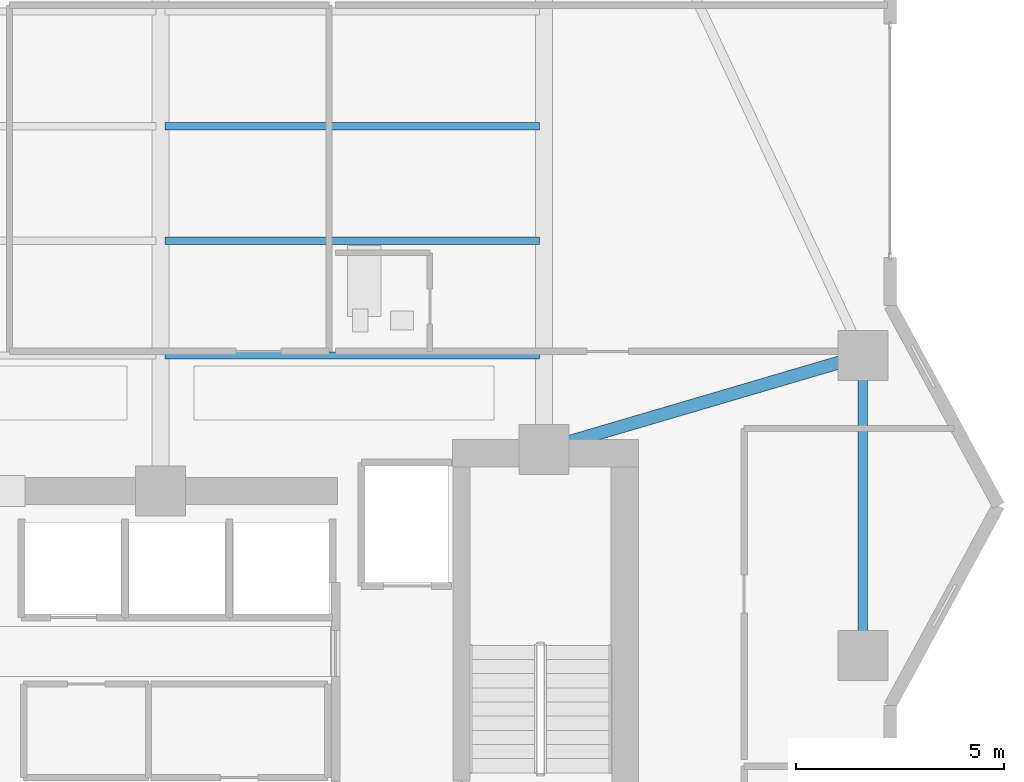
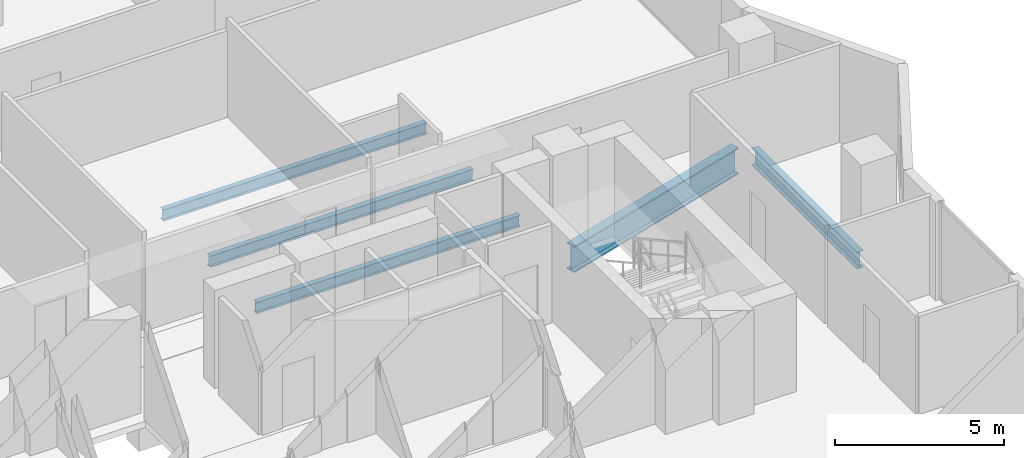
# One storey, part 14 of 33: 5 beams.
"""IFC4 building model written with IfcOpenShell, lengths in metres."""

from ifc_helpers import new_model, si_unit, direction, frame, origin, origin_2d, place, context, subcontext, project, spatial, i_section, extrude, material, material_profile, profile_set, type_object, element, save


model = new_model("IFC4")

# Units and contexts
model_context = context("Model", 3, precision=1e-05, world=origin(), true_north=direction((0.0, 1.0)))
body_context = subcontext(model_context, "Body", "Model", "MODEL_VIEW")
ifc_project = project(units=[si_unit("LENGTHUNIT", "METRE"), si_unit("AREAUNIT", "SQUARE_METRE"), si_unit("VOLUMEUNIT", "CUBIC_METRE"), si_unit("PLANEANGLEUNIT", "RADIAN"), si_unit("MASSUNIT", "GRAM", prefix="KILO")], contexts=[model_context])

# Site, building, storey
site_placement = place(None, origin())
site = spatial("IfcSite", under=ifc_project, at=site_placement, CompositionType="ELEMENT")
building_placement = place(site_placement, origin())
building = spatial("IfcBuilding", under=site, at=building_placement, Name="Zuhayl Quay Hotel", CompositionType="ELEMENT")
storey_placement = place(building_placement, frame((0.0, 0.0, 214.89990234375)))
storey = spatial("IfcBuildingStorey", under=building, at=storey_placement, Name="L54", CompositionType="ELEMENT", Elevation=214.89990234375)

# Beams
ifc_material = material(Name="Steel ASTM A992 Grade 50", Category="steel")
ifc_material_profile_1 = material_profile(ifc_material, i_section(OverallWidth=0.22802734375, OverallDepth=0.60693359375, WebThickness=0.01123046875, FlangeThickness=0.017333984375, at=origin_2d()), Name="W24X76")
ifc_profile_set_1 = profile_set([ifc_material_profile_1], Name="Steel ASTM A992 Grade 50")
beam_type_1 = type_object("IfcBeamType", Name="BM_B3_W24X76", PredefinedType="BEAM", material=ifc_profile_set_1)
beam_1_placement = place(storey_placement, frame((21.449951171875, 9.89990234375, -0.5234375), z_axis=(0.0, 1.0, 0.0), x_axis=(-1.0, 0.0, 0.0)))
element("IfcBeam", 1, at=beam_1_placement, inside=storey, type_object=beam_type_1, Name="L54 Floor Beam RG_L54_05", PredefinedType="BEAM", context=body_context, shape_type="SweptSolid", body=[
    extrude(i_section(OverallWidth=0.22802734375, OverallDepth=0.60693359375, WebThickness=0.01123046875, FlangeThickness=0.017333984375, at=origin_2d()), origin(), (0.0, 0.0, 1.0), 6.2001953125),
])
ifc_material_profile_2 = material_profile(ifc_material, i_section(OverallWidth=0.177978515625, OverallDepth=0.406005859375, WebThickness=0.0078125, FlangeThickness=0.0126953125, at=origin_2d()), Name="W16X40")
ifc_profile_set_2 = profile_set([ifc_material_profile_2], Name="Steel ASTM A992 Grade 50")
beam_type_2 = type_object("IfcBeamType", Name="BM_J2B_W16X40", PredefinedType="JOIST", material=ifc_profile_set_2)
for number, where, z_axis, x_axis, name in (
    (2, (4.7060546875, 16.60009765625, -0.4228515625), (1.0, 0.0, 0.0), (0.0, 1.0, 0.0), "L54 Floor Beam FJ_L54_1_3"),
    (3, (4.7060546875, 19.35009765625, -0.4228515625), (1.0, 0.0, 0.0), (0.0, 1.0, 0.0), "L54 Floor Beam FJ_L54_2_3"),
    (4, (4.7060546875, 22.10009765625, -0.4228515625), (1.0, 0.0, 0.0), (0.0, 1.0, 0.0), "L54 Floor Beam FJ_L54_3_3"),
):
    element("IfcBeam", number, at=place(storey_placement, frame(where, z_axis=z_axis, x_axis=x_axis)), inside=storey, type_object=beam_type_2, Name=name, PredefinedType="JOIST", context=body_context, shape_type="SweptSolid", body=[
        extrude(i_section(OverallWidth=0.177978515625, OverallDepth=0.406005859375, WebThickness=0.0078125, FlangeThickness=0.0126953125, at=origin_2d()), origin(), (0.0, 0.0, 1.0), 8.988037109375),
    ])
ifc_material_profile_3 = material_profile(ifc_material, i_section(OverallWidth=0.31005859375, OverallDepth=0.949951171875, WebThickness=0.0244140625, FlangeThickness=0.0439453125, at=origin_2d()), Name="W36X256")
ifc_profile_set_3 = profile_set([ifc_material_profile_3], Name="Steel ASTM A992 Grade 50")
beam_type_3 = type_object("IfcBeamType", Name="BM_PG1_W36X256", PredefinedType="BEAM", material=ifc_profile_set_3)
beam_2_placement = place(storey_placement, frame((14.231689453125, 14.47705078125, -0.69482421875), z_axis=(0.959364948093, 0.282168205812, 0.0), x_axis=(-0.282168205812, 0.959364948093, 0.0)))
element("IfcBeam", 5, at=beam_2_placement, inside=storey, type_object=beam_type_3, Name="L54 Floor Beam FG_E_L54_2", PredefinedType="BEAM", context=body_context, shape_type="SweptSolid", body=[
    extrude(i_section(OverallWidth=0.31005859375, OverallDepth=0.949951171875, WebThickness=0.0244140625, FlangeThickness=0.0439453125, at=origin_2d()), origin(), (0.0, 0.0, 1.0), 7.02392578125),
])

save(model, "model.ifc")
